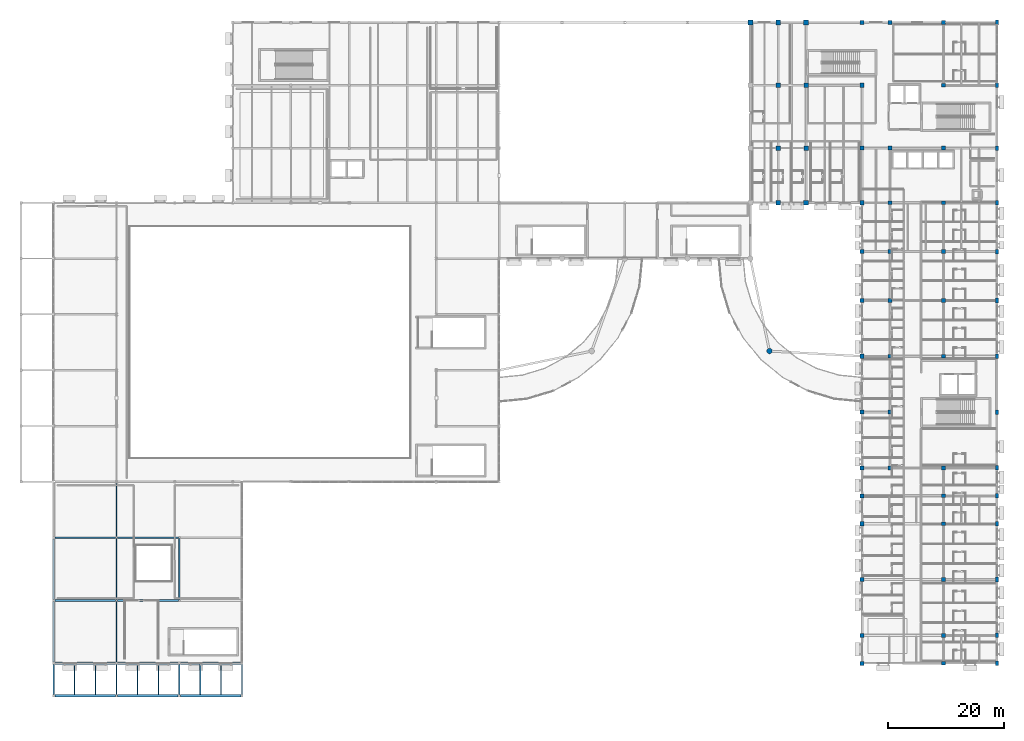
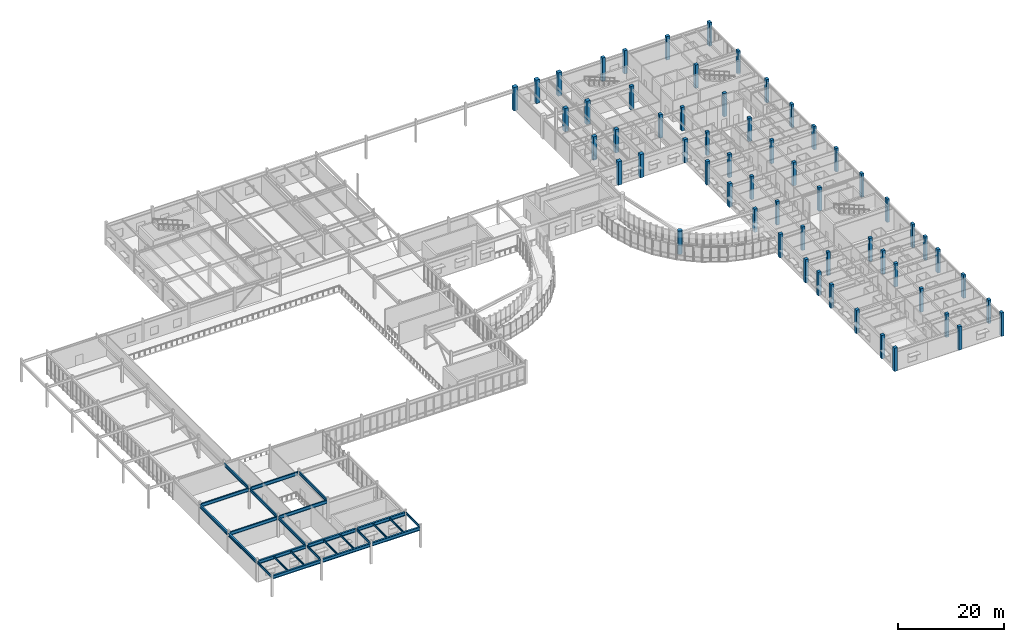
# One storey, part 9 of 68: 59 columns, 26 beams.
"""IFC4 building model written with IfcOpenShell, lengths in metres."""

from ifc_helpers import new_model, si_unit, direction, frame, origin, origin_2d, place, context, subcontext, project, spatial, rectangle, circle, i_section, extrude, material, material_profile, profile_set, type_object, element, save


model = new_model("IFC4")

# Units and contexts
model_context = context("Model", 3, precision=1e-05, world=origin(), true_north=direction((0.0, 1.0)))
body_context = subcontext(model_context, "Body", "Model", "MODEL_VIEW")
ifc_project = project(units=[si_unit("LENGTHUNIT", "METRE"), si_unit("AREAUNIT", "SQUARE_METRE"), si_unit("VOLUMEUNIT", "CUBIC_METRE"), si_unit("PLANEANGLEUNIT", "RADIAN"), si_unit("MASSUNIT", "GRAM", prefix="KILO")], contexts=[model_context])

# Site, building, storey
site_placement = place(None, origin())
site = spatial("IfcSite", under=ifc_project, at=site_placement, CompositionType="ELEMENT")
building_placement = place(site_placement, origin())
building = spatial("IfcBuilding", under=site, at=building_placement, Name="Veldera Park Congress Hotel", CompositionType="ELEMENT")
storey_placement = place(building_placement, frame((0.0, 0.0, 10.800048828125)))
storey = spatial("IfcBuildingStorey", under=building, at=storey_placement, Name="L02", CompositionType="ELEMENT", Elevation=10.800048828125)

# Columns
ifc_material_1 = material(Name="Concrete f'c 40 MPa (5,800 psi)", Category="concrete")
ifc_material_profile_1 = material_profile(ifc_material_1, rectangle(XDim=0.550048828125, YDim=0.800048828125, at=origin_2d()), Name="RC 550x800")
ifc_profile_set_1 = profile_set([ifc_material_profile_1], Name="Concrete f'c 40 MPa (5,800 psi)")
column_type_1 = type_object("IfcColumnType", Name="COL-PIL75E", PredefinedType="PILASTER", material=ifc_profile_set_1)
for number, where, z_axis, x_axis, name in (
    (1, (84.0, -52.199951171875, 0.0), (0.0, 0.0, 1.0), (1.0, 0.0, 0.0), "L02 Column COL-PIL75E (84.0,-52.2)"),
    (2, (84.0, -47.39990234375, 0.0), (0.0, 0.0, 1.0), (1.0, 0.0, 0.0), "L02 Column COL-PIL75E (84.0,-47.4)"),
    (3, (84.0, -37.800048828125, 0.0), (0.0, 0.0, 1.0), (1.0, 0.0, 0.0), "L02 Column COL-PIL75E (84.0,-37.8)"),
    (4, (84.0, -28.199951171875, 0.0), (0.0, 0.0, 1.0), (1.0, 0.0, 0.0), "L02 Column COL-PIL75E (84.0,-28.2)"),
    (5, (84.0, -23.39990234375, 0.0), (0.0, 0.0, 1.0), (1.0, 0.0, 0.0), "L02 Column COL-PIL75E (84.0,-23.4)"),
    (6, (84.0, -18.60009765625, 0.0), (0.0, 0.0, 1.0), (1.0, 0.0, 0.0), "L02 Column COL-PIL75E (84.0,-18.6)"),
    (7, (84.0, -9.0, 0.0), (0.0, 0.0, 1.0), (1.0, 0.0, 0.0), "L02 Column COL-PIL75E (84.0,-9.0)"),
    (8, (84.0, 0.60009765625, 0.0), (0.0, 0.0, 1.0), (1.0, 0.0, 0.0), "L02 Column COL-PIL75E (84.0,0.6)"),
    (9, (84.0, 10.199951171875, 0.0), (0.0, 0.0, 1.0), (1.0, 0.0, 0.0), "L02 Column COL-PIL75E (84.0,10.2)"),
    (10, (84.0, 18.60009765625, 0.0), (0.0, 0.0, 1.0), (1.0, 0.0, 0.0), "L02 Column COL-PIL75E (84.0,18.6)"),
    (11, (84.0, 27.0, 0.0), (0.0, 0.0, 1.0), (1.0, 0.0, 0.0), "L02 Column COL-PIL75E (84.0,27.0)"),
    (12, (84.0, 36.39990234375, 0.0), (0.0, 0.0, 1.0), (1.0, 0.0, 0.0), "L02 Column COL-PIL75E (84.0,36.4)"),
    (13, (84.0, 47.199951171875, 0.0), (0.0, 0.0, 1.0), (1.0, 0.0, 0.0), "L02 Column COL-PIL75E (84.0,47.2)"),
    (14, (84.0, 58.0, 0.0), (0.0, 0.0, 1.0), (1.0, 0.0, 0.0), "L02 Column COL-PIL75E (84.0,58.0)"),
):
    element("IfcColumn", number, at=place(storey_placement, frame(where, z_axis=z_axis, x_axis=x_axis)), inside=storey, type_object=column_type_1, Name=name, PredefinedType="PILASTER", context=body_context, shape_type="SweptSolid", body=[
        extrude(rectangle(XDim=0.550048828125, YDim=0.800048828125, at=origin_2d()), origin(), (0.0, 0.0, 1.0), 5.39990234375),
    ])
ifc_material_profile_2 = material_profile(ifc_material_1, rectangle(XDim=0.64990234375, YDim=0.64990234375, at=origin_2d()), Name="RC 650x650")
ifc_profile_set_2 = profile_set([ifc_material_profile_2], Name="Concrete f'c 40 MPa (5,800 psi)")
column_type_2 = type_object("IfcColumnType", Name="COL-RC65", PredefinedType="COLUMN", material=ifc_profile_set_2)
for number, where, z_axis, x_axis, name in (
    (15, (74.800048828125, -52.199951171875, 0.0), (0.0, 0.0, 1.0), (1.0, 0.0, 0.0), "L02 Column COL-RC65 (74.8,-52.2)"),
    (16, (74.800048828125, -47.39990234375, 0.0), (0.0, 0.0, 1.0), (1.0, 0.0, 0.0), "L02 Column COL-RC65 (74.8,-47.4)"),
    (17, (74.800048828125, -37.800048828125, 0.0), (0.0, 0.0, 1.0), (1.0, 0.0, 0.0), "L02 Column COL-RC65 (74.8,-37.8)"),
    (18, (74.800048828125, -28.199951171875, 0.0), (0.0, 0.0, 1.0), (1.0, 0.0, 0.0), "L02 Column COL-RC65 (74.8,-28.2)"),
    (19, (74.800048828125, -23.39990234375, 0.0), (0.0, 0.0, 1.0), (1.0, 0.0, 0.0), "L02 Column COL-RC65 (74.8,-23.4)"),
    (20, (74.800048828125, -18.60009765625, 0.0), (0.0, 0.0, 1.0), (1.0, 0.0, 0.0), "L02 Column COL-RC65 (74.8,-18.6)"),
    (21, (74.800048828125, 0.60009765625, 0.0), (0.0, 0.0, 1.0), (1.0, 0.0, 0.0), "L02 Column COL-RC65 (74.8,0.6)"),
    (22, (74.800048828125, 10.199951171875, 0.0), (0.0, 0.0, 1.0), (1.0, 0.0, 0.0), "L02 Column COL-RC65 (74.8,10.2)"),
    (23, (74.800048828125, 18.60009765625, 0.0), (0.0, 0.0, 1.0), (1.0, 0.0, 0.0), "L02 Column COL-RC65 (74.8,18.6)"),
    (24, (74.800048828125, 27.0, 0.0), (0.0, 0.0, 1.0), (1.0, 0.0, 0.0), "L02 Column COL-RC65 (74.8,27.0)"),
    (25, (74.800048828125, 36.39990234375, 0.0), (0.0, 0.0, 1.0), (1.0, 0.0, 0.0), "L02 Column COL-RC65 (74.8,36.4)"),
    (26, (74.800048828125, 47.199951171875, 0.0), (0.0, 0.0, 1.0), (1.0, 0.0, 0.0), "L02 Column COL-RC65 (74.8,47.2)"),
    (27, (65.60009765625, -18.60009765625, 0.0), (0.0, 0.0, 1.0), (1.0, 0.0, 0.0), "L02 Column COL-RC65 (65.6,-18.6)"),
    (28, (65.60009765625, -9.0, 0.0), (0.0, 0.0, 1.0), (1.0, 0.0, 0.0), "L02 Column COL-RC65 (65.6,-9.0)"),
    (29, (65.60009765625, 0.60009765625, 0.0), (0.0, 0.0, 1.0), (1.0, 0.0, 0.0), "L02 Column COL-RC65 (65.6,0.6)"),
    (30, (65.60009765625, 10.199951171875, 0.0), (0.0, 0.0, 1.0), (1.0, 0.0, 0.0), "L02 Column COL-RC65 (65.6,10.2)"),
    (31, (65.60009765625, 18.60009765625, 0.0), (0.0, 0.0, 1.0), (1.0, 0.0, 0.0), "L02 Column COL-RC65 (65.6,18.6)"),
    (32, (65.60009765625, 27.0, 0.0), (0.0, 0.0, 1.0), (1.0, 0.0, 0.0), "L02 Column COL-RC65 (65.6,27.0)"),
    (33, (65.60009765625, 36.39990234375, 0.0), (0.0, 0.0, 1.0), (1.0, 0.0, 0.0), "L02 Column COL-RC65 (65.6,36.4)"),
):
    element("IfcColumn", number, at=place(storey_placement, frame(where, z_axis=z_axis, x_axis=x_axis)), inside=storey, type_object=column_type_2, Name=name, PredefinedType="COLUMN", context=body_context, shape_type="SweptSolid", body=[
        extrude(rectangle(XDim=0.64990234375, YDim=0.64990234375, at=origin_2d()), origin(), (0.0, 0.0, 1.0), 5.39990234375),
    ])
ifc_material_profile_3 = material_profile(ifc_material_1, rectangle(XDim=0.699951171875, YDim=0.699951171875, at=origin_2d()), Name="RC 700x700")
ifc_profile_set_3 = profile_set([ifc_material_profile_3], Name="Concrete f'c 40 MPa (5,800 psi)")
column_type_3 = type_object("IfcColumnType", Name="COL-RC65E", PredefinedType="COLUMN", material=ifc_profile_set_3)
for number, where, z_axis, x_axis, name in (
    (34, (60.800048828125, -52.199951171875, 0.0), (0.0, 0.0, 1.0), (1.0, 0.0, 0.0), "L02 Column COL-RC65E (60.8,-52.2)"),
    (35, (60.800048828125, -47.39990234375, 0.0), (0.0, 0.0, 1.0), (1.0, 0.0, 0.0), "L02 Column COL-RC65E (60.8,-47.4)"),
    (36, (60.800048828125, -37.800048828125, 0.0), (0.0, 0.0, 1.0), (1.0, 0.0, 0.0), "L02 Column COL-RC65E (60.8,-37.8)"),
    (37, (60.800048828125, -28.199951171875, 0.0), (0.0, 0.0, 1.0), (1.0, 0.0, 0.0), "L02 Column COL-RC65E (60.8,-28.2)"),
    (38, (60.800048828125, -23.39990234375, 0.0), (0.0, 0.0, 1.0), (1.0, 0.0, 0.0), "L02 Column COL-RC65E (60.8,-23.4)"),
    (39, (60.800048828125, -18.60009765625, 0.0), (0.0, 0.0, 1.0), (1.0, 0.0, 0.0), "L02 Column COL-RC65E (60.8,-18.6)"),
    (40, (60.800048828125, -9.0, 0.0), (0.0, 0.0, 1.0), (1.0, 0.0, 0.0), "L02 Column COL-RC65E (60.8,-9.0)"),
    (41, (60.800048828125, 0.60009765625, 0.0), (0.0, 0.0, 1.0), (1.0, 0.0, 0.0), "L02 Column COL-RC65E (60.8,0.6)"),
    (42, (60.800048828125, 10.199951171875, 0.0), (0.0, 0.0, 1.0), (1.0, 0.0, 0.0), "L02 Column COL-RC65E (60.8,10.2)"),
    (43, (60.800048828125, 18.60009765625, 0.0), (0.0, 0.0, 1.0), (1.0, 0.0, 0.0), "L02 Column COL-RC65E (60.8,18.6)"),
    (44, (60.800048828125, 27.0, 0.0), (0.0, 0.0, 1.0), (1.0, 0.0, 0.0), "L02 Column COL-RC65E (60.8,27.0)"),
    (45, (60.800048828125, 36.39990234375, 0.0), (0.0, 0.0, 1.0), (1.0, 0.0, 0.0), "L02 Column COL-RC65E (60.8,36.4)"),
    (46, (60.800048828125, 47.199951171875, 0.0), (0.0, 0.0, 1.0), (1.0, 0.0, 0.0), "L02 Column COL-RC65E (60.8,47.2)"),
    (47, (60.800048828125, 58.0, 0.0), (0.0, 0.0, 1.0), (1.0, 0.0, 0.0), "L02 Column COL-RC65E (60.8,58.0)"),
    (48, (74.800048828125, 58.0, 0.0), (0.0, 0.0, 1.0), (1.0, 0.0, 0.0), "L02 Column COL-RC65E (74.8,58.0)"),
    (49, (65.60009765625, 58.0, 0.0), (0.0, 0.0, 1.0), (1.0, 0.0, 0.0), "L02 Column COL-RC65E (65.6,58.0)"),
):
    element("IfcColumn", number, at=place(storey_placement, frame(where, z_axis=z_axis, x_axis=x_axis)), inside=storey, type_object=column_type_3, Name=name, PredefinedType="COLUMN", context=body_context, shape_type="SweptSolid", body=[
        extrude(rectangle(XDim=0.699951171875, YDim=0.699951171875, at=origin_2d()), origin(), (0.0, 0.0, 1.0), 5.39990234375),
    ])
ifc_material_2 = material(Name="Concrete f'c 50 MPa (7,250 psi)", Category="concrete")
ifc_material_profile_4 = material_profile(ifc_material_2, rectangle(XDim=0.800048828125, YDim=0.800048828125, at=origin_2d()), Name="RC 800x800")
ifc_profile_set_4 = profile_set([ifc_material_profile_4], Name="Concrete f'c 50 MPa (7,250 psi)")
column_type_4 = type_object("IfcColumnType", Name="COL-RC80", PredefinedType="COLUMN", material=ifc_profile_set_4)
for number, where, z_axis, x_axis, name in (
    (50, (46.39990234375, 36.39990234375, 0.0), (0.0, 0.0, 1.0), (1.0, 0.0, 0.0), "L02 Column COL-RC80 (46.4,36.4)"),
    (51, (46.39990234375, 47.199951171875, 0.0), (0.0, 0.0, 1.0), (1.0, 0.0, 0.0), "L02 Column COL-RC80 (46.4,47.2)"),
    (52, (51.199951171875, 36.39990234375, 0.0), (0.0, 0.0, 1.0), (1.0, 0.0, 0.0), "L02 Column COL-RC80 (51.2,36.4)"),
    (53, (51.199951171875, 47.199951171875, 0.0), (0.0, 0.0, 1.0), (1.0, 0.0, 0.0), "L02 Column COL-RC80 (51.2,47.2)"),
):
    element("IfcColumn", number, at=place(storey_placement, frame(where, z_axis=z_axis, x_axis=x_axis)), inside=storey, type_object=column_type_4, Name=name, PredefinedType="COLUMN", context=body_context, shape_type="SweptSolid", body=[
        extrude(rectangle(XDim=0.800048828125, YDim=0.800048828125, at=origin_2d()), origin(), (0.0, 0.0, 1.0), 5.39990234375),
    ])
ifc_material_profile_5 = material_profile(ifc_material_2, rectangle(XDim=0.85009765625, YDim=0.85009765625, at=origin_2d()), Name="RC 850x850")
ifc_profile_set_5 = profile_set([ifc_material_profile_5], Name="Concrete f'c 50 MPa (7,250 psi)")
column_type_5 = type_object("IfcColumnType", Name="COL-RC80E", PredefinedType="COLUMN", material=ifc_profile_set_5)
for number, where, z_axis, x_axis, name in (
    (54, (41.60009765625, 58.0, 0.0), (0.0, 0.0, 1.0), (1.0, 0.0, 0.0), "L02 Column COL-RC80E (41.6,58.0)"),
    (55, (46.39990234375, 27.0, 0.0), (0.0, 0.0, 1.0), (1.0, 0.0, 0.0), "L02 Column COL-RC80E (46.4,27.0)"),
    (56, (46.39990234375, 58.0, 0.0), (0.0, 0.0, 1.0), (1.0, 0.0, 0.0), "L02 Column COL-RC80E (46.4,58.0)"),
    (57, (51.199951171875, 27.0, 0.0), (0.0, 0.0, 1.0), (1.0, 0.0, 0.0), "L02 Column COL-RC80E (51.2,27.0)"),
    (58, (51.199951171875, 58.0, 0.0), (0.0, 0.0, 1.0), (1.0, 0.0, 0.0), "L02 Column COL-RC80E (51.2,58.0)"),
):
    element("IfcColumn", number, at=place(storey_placement, frame(where, z_axis=z_axis, x_axis=x_axis)), inside=storey, type_object=column_type_5, Name=name, PredefinedType="COLUMN", context=body_context, shape_type="SweptSolid", body=[
        extrude(rectangle(XDim=0.85009765625, YDim=0.85009765625, at=origin_2d()), origin(), (0.0, 0.0, 1.0), 5.39990234375),
    ])
ifc_material_profile_6 = material_profile(ifc_material_2, circle(Radius=0.47509765625, at=origin_2d()), Name="RC D950")
ifc_profile_set_6 = profile_set([ifc_material_profile_6], Name="Concrete f'c 50 MPa (7,250 psi)")
column_type_6 = type_object("IfcColumnType", Name="COL-RCD90E", PredefinedType="COLUMN", material=ifc_profile_set_6)
column_placement = place(storey_placement, frame((44.89013671875, 1.489990234375, 0.0), z_axis=(0.0, 0.0, 1.0), x_axis=(1.0, 0.0, 0.0)))
element("IfcColumn", 59, at=column_placement, inside=storey, type_object=column_type_6, Name="L02 Column COL-RCD90E (44.9,1.5)", PredefinedType="COLUMN", context=body_context, shape_type="SweptSolid", body=[
    extrude(circle(Radius=0.47509765625, at=origin_2d()), origin(), (0.0, 0.0, 1.0), 5.39990234375),
])

# Beams
ifc_material_3 = material(Name="Steel ASTM A992 Gr.50", Category="steel")
ifc_material_profile_7 = material_profile(ifc_material_3, i_section(OverallWidth=0.2119140625, OverallDepth=0.5439453125, WebThickness=0.01318359375, FlangeThickness=0.021240234375, at=origin_2d()), Name="W21X83")
ifc_profile_set_7 = profile_set([ifc_material_profile_7], Name="Steel ASTM A992 Gr.50")
beam_type_1 = type_object("IfcBeamType", Name="BM-W21C", PredefinedType="BEAM", material=ifc_profile_set_7)
for number, where, z_axis, x_axis, name in (
    (60, (-67.39990234375, -57.60498046875, 4.52783203125), (0.0, 1.0, 0.0), (-1.0, 0.0, 0.0), "L02 Girder BM-W21C 939"),
    (61, (-56.60009765625, -57.60498046875, 4.52783203125), (0.0, 1.0, 0.0), (-1.0, 0.0, 0.0), "L02 Girder BM-W21C 948"),
    (62, (-45.800048828125, -57.60498046875, 4.52783203125), (0.0, 1.0, 0.0), (-1.0, 0.0, 0.0), "L02 Girder BM-W21C 953"),
):
    element("IfcBeam", number, at=place(storey_placement, frame(where, z_axis=z_axis, x_axis=x_axis)), inside=storey, type_object=beam_type_1, Name=name, PredefinedType="BEAM", context=body_context, shape_type="SweptSolid", body=[
        extrude(i_section(OverallWidth=0.2119140625, OverallDepth=0.5439453125, WebThickness=0.01318359375, FlangeThickness=0.021240234375, at=origin_2d()), origin(), (0.0, 0.0, 1.0), 5.2099609375),
    ])
ifc_material_profile_8 = material_profile(ifc_material_3, i_section(OverallWidth=0.2119140625, OverallDepth=0.5439453125, WebThickness=0.01318359375, FlangeThickness=0.021240234375, at=origin_2d()), Name="W21X83")
ifc_profile_set_8 = profile_set([ifc_material_profile_8], Name="Steel ASTM A992 Gr.50")
beam_type_2 = type_object("IfcBeamType", Name="BM-W21CE", PredefinedType="BEAM", material=ifc_profile_set_8)
beam_1_placement = place(storey_placement, frame((-78.199951171875, -57.60498046875, 4.52783203125), z_axis=(0.0, 1.0, 0.0), x_axis=(-1.0, 0.0, 0.0)))
element("IfcBeam", 63, at=beam_1_placement, inside=storey, type_object=beam_type_2, Name="L02 Girder BM-W21CE 930", PredefinedType="BEAM", context=body_context, shape_type="SweptSolid", body=[
    extrude(i_section(OverallWidth=0.2119140625, OverallDepth=0.5439453125, WebThickness=0.01318359375, FlangeThickness=0.021240234375, at=origin_2d()), origin(), (0.0, 0.0, 1.0), 5.2099609375),
])
ifc_material_profile_9 = material_profile(ifc_material_3, i_section(OverallWidth=0.256103515625, OverallDepth=0.693115234375, WebThickness=0.014404296875, FlangeThickness=0.023681640625, at=origin_2d()), Name="W27X114")
ifc_profile_set_9 = profile_set([ifc_material_profile_9], Name="Steel ASTM A992 Gr.50")
beam_type_3 = type_object("IfcBeamType", Name="BM-W27", PredefinedType="BEAM", material=ifc_profile_set_9)
beam_2_placement = place(storey_placement, frame((-67.39990234375, -52.0048828125, 4.453369140625), z_axis=(0.0, 1.0, 0.0), x_axis=(-1.0, 0.0, 0.0)))
element("IfcBeam", 64, at=beam_2_placement, inside=storey, type_object=beam_type_3, Name="L02 Girder BM-W27 940", PredefinedType="BEAM", context=body_context, shape_type="SweptSolid", body=[
    extrude(i_section(OverallWidth=0.256103515625, OverallDepth=0.693115234375, WebThickness=0.014404296875, FlangeThickness=0.023681640625, at=origin_2d()), origin(), (0.0, 0.0, 1.0), 10.4248046875),
])
beam_3_placement = place(storey_placement, frame((-67.39990234375, -41.219970703125, 4.453369140625), z_axis=(0.0, 1.0, 0.0), x_axis=(-1.0, 0.0, 0.0)))
element("IfcBeam", 65, at=beam_3_placement, inside=storey, type_object=beam_type_3, Name="L02 Girder BM-W27 941", PredefinedType="BEAM", context=body_context, shape_type="SweptSolid", body=[
    extrude(i_section(OverallWidth=0.256103515625, OverallDepth=0.693115234375, WebThickness=0.014404296875, FlangeThickness=0.023681640625, at=origin_2d()), origin(), (0.0, 0.0, 1.0), 10.43994140625),
])
beam_4_placement = place(storey_placement, frame((-67.39990234375, -30.419921875, 4.453369140625), z_axis=(0.0, 1.0, 0.0), x_axis=(-1.0, 0.0, 0.0)))
element("IfcBeam", 66, at=beam_4_placement, inside=storey, type_object=beam_type_3, Name="L02 Girder BM-W27 942", PredefinedType="BEAM", context=body_context, shape_type="SweptSolid", body=[
    extrude(i_section(OverallWidth=0.256103515625, OverallDepth=0.693115234375, WebThickness=0.014404296875, FlangeThickness=0.023681640625, at=origin_2d()), origin(), (0.0, 0.0, 1.0), 9.223388671875),
])
beam_5_placement = place(storey_placement, frame((-56.60009765625, -41.219970703125, 4.453369140625), z_axis=(0.0, 1.0, 0.0), x_axis=(-1.0, 0.0, 0.0)))
element("IfcBeam", 67, at=beam_5_placement, inside=storey, type_object=beam_type_3, Name="L02 Girder BM-W27 949", PredefinedType="BEAM", context=body_context, shape_type="SweptSolid", body=[
    extrude(i_section(OverallWidth=0.256103515625, OverallDepth=0.693115234375, WebThickness=0.014404296875, FlangeThickness=0.023681640625, at=origin_2d()), origin(), (0.0, 0.0, 1.0), 10.43994140625),
])
ifc_material_profile_10 = material_profile(ifc_material_3, i_section(OverallWidth=0.35498046875, OverallDepth=0.696044921875, WebThickness=0.015380859375, FlangeThickness=0.02490234375, at=origin_2d()), Name="W27X146")
ifc_profile_set_10 = profile_set([ifc_material_profile_10], Name="Steel ASTM A992 Gr.50")
beam_type_4 = type_object("IfcBeamType", Name="BM-W27E", PredefinedType="BEAM", material=ifc_profile_set_10)
beam_6_placement = place(storey_placement, frame((-78.199951171875, -52.0048828125, 4.451904296875), z_axis=(0.0, 1.0, 0.0), x_axis=(-1.0, 0.0, 0.0)))
element("IfcBeam", 68, at=beam_6_placement, inside=storey, type_object=beam_type_4, Name="L02 Girder BM-W27E 931", PredefinedType="BEAM", context=body_context, shape_type="SweptSolid", body=[
    extrude(i_section(OverallWidth=0.35498046875, OverallDepth=0.696044921875, WebThickness=0.015380859375, FlangeThickness=0.02490234375, at=origin_2d()), origin(), (0.0, 0.0, 1.0), 10.409912109375),
])
beam_7_placement = place(storey_placement, frame((-78.199951171875, -41.205078125, 4.451904296875), z_axis=(0.0, 1.0, 0.0), x_axis=(-1.0, 0.0, 0.0)))
element("IfcBeam", 69, at=beam_7_placement, inside=storey, type_object=beam_type_4, Name="L02 Girder BM-W27E 932", PredefinedType="BEAM", context=body_context, shape_type="SweptSolid", body=[
    extrude(i_section(OverallWidth=0.35498046875, OverallDepth=0.696044921875, WebThickness=0.015380859375, FlangeThickness=0.02490234375, at=origin_2d()), origin(), (0.0, 0.0, 1.0), 10.41015625),
])
ifc_material_profile_11 = material_profile(ifc_material_3, i_section(OverallWidth=0.26708984375, OverallDepth=0.779052734375, WebThickness=0.0166015625, FlangeThickness=0.030029296875, at=origin_2d()), Name="W30X148")
ifc_profile_set_11 = profile_set([ifc_material_profile_11], Name="Steel ASTM A992 Gr.50")
beam_type_5 = type_object("IfcBeamType", Name="BM-W30", PredefinedType="BEAM", material=ifc_profile_set_11)
beam_8_placement = place(storey_placement, frame((-78.0048828125, -41.39990234375, 4.410400390625), z_axis=(1.0, 0.0, 0.0), x_axis=(0.0, 1.0, 0.0)))
element("IfcBeam", 70, at=beam_8_placement, inside=storey, type_object=beam_type_5, Name="L02 Girder BM-W30 828", PredefinedType="BEAM", context=body_context, shape_type="SweptSolid", body=[
    extrude(i_section(OverallWidth=0.26708984375, OverallDepth=0.779052734375, WebThickness=0.0166015625, FlangeThickness=0.030029296875, at=origin_2d()), origin(), (0.0, 0.0, 1.0), 10.4248046875),
])
beam_9_placement = place(storey_placement, frame((-67.219970703125, -41.39990234375, 4.410400390625), z_axis=(1.0, 0.0, 0.0), x_axis=(0.0, 1.0, 0.0)))
element("IfcBeam", 71, at=beam_9_placement, inside=storey, type_object=beam_type_5, Name="L02 Girder BM-W30 829", PredefinedType="BEAM", context=body_context, shape_type="SweptSolid", body=[
    extrude(i_section(OverallWidth=0.26708984375, OverallDepth=0.779052734375, WebThickness=0.0166015625, FlangeThickness=0.030029296875, at=origin_2d()), origin(), (0.0, 0.0, 1.0), 10.43994140625),
])
beam_10_placement = place(storey_placement, frame((-78.0048828125, -30.60009765625, 4.410400390625), z_axis=(1.0, 0.0, 0.0), x_axis=(0.0, 1.0, 0.0)))
element("IfcBeam", 72, at=beam_10_placement, inside=storey, type_object=beam_type_5, Name="L02 Girder BM-W30 832", PredefinedType="BEAM", context=body_context, shape_type="SweptSolid", body=[
    extrude(i_section(OverallWidth=0.26708984375, OverallDepth=0.779052734375, WebThickness=0.0166015625, FlangeThickness=0.030029296875, at=origin_2d()), origin(), (0.0, 0.0, 1.0), 10.4248046875),
])
beam_11_placement = place(storey_placement, frame((-67.219970703125, -30.60009765625, 4.410400390625), z_axis=(1.0, 0.0, 0.0), x_axis=(0.0, 1.0, 0.0)))
element("IfcBeam", 73, at=beam_11_placement, inside=storey, type_object=beam_type_5, Name="L02 Girder BM-W30 833", PredefinedType="BEAM", context=body_context, shape_type="SweptSolid", body=[
    extrude(i_section(OverallWidth=0.26708984375, OverallDepth=0.779052734375, WebThickness=0.0166015625, FlangeThickness=0.030029296875, at=origin_2d()), origin(), (0.0, 0.0, 1.0), 10.43994140625),
])
ifc_material_profile_12 = material_profile(ifc_material_3, i_section(OverallWidth=0.382080078125, OverallDepth=0.779052734375, WebThickness=0.01806640625, FlangeThickness=0.030029296875, at=origin_2d()), Name="W30X191")
ifc_profile_set_12 = profile_set([ifc_material_profile_12], Name="Steel ASTM A992 Gr.50")
beam_type_6 = type_object("IfcBeamType", Name="BM-W30E", PredefinedType="BEAM", material=ifc_profile_set_12)
beam_12_placement = place(storey_placement, frame((-78.0048828125, -57.800048828125, 4.410400390625), z_axis=(1.0, 0.0, 0.0), x_axis=(0.0, 1.0, 0.0)))
element("IfcBeam", 74, at=beam_12_placement, inside=storey, type_object=beam_type_6, Name="L02 Girder BM-W30E 818", PredefinedType="BEAM", context=body_context, shape_type="SweptSolid", body=[
    extrude(i_section(OverallWidth=0.382080078125, OverallDepth=0.779052734375, WebThickness=0.01806640625, FlangeThickness=0.030029296875, at=origin_2d()), origin(), (0.0, 0.0, 1.0), 10.409912109375),
])
beam_13_placement = place(storey_placement, frame((-67.205078125, -57.800048828125, 4.410400390625), z_axis=(1.0, 0.0, 0.0), x_axis=(0.0, 1.0, 0.0)))
element("IfcBeam", 75, at=beam_13_placement, inside=storey, type_object=beam_type_6, Name="L02 Girder BM-W30E 819", PredefinedType="BEAM", context=body_context, shape_type="SweptSolid", body=[
    extrude(i_section(OverallWidth=0.382080078125, OverallDepth=0.779052734375, WebThickness=0.01806640625, FlangeThickness=0.030029296875, at=origin_2d()), origin(), (0.0, 0.0, 1.0), 10.41015625),
])
for number, where, z_axis, x_axis, name in (
    (76, (-56.405029296875, -57.800048828125, 4.410400390625), (1.0, 0.0, 0.0), (0.0, 1.0, 0.0), "L02 Girder BM-W30E 820"),
    (77, (-78.0048828125, -52.199951171875, 4.410400390625), (1.0, 0.0, 0.0), (0.0, 1.0, 0.0), "L02 Girder BM-W30E 821"),
):
    element("IfcBeam", number, at=place(storey_placement, frame(where, z_axis=z_axis, x_axis=x_axis)), inside=storey, type_object=beam_type_6, Name=name, PredefinedType="BEAM", context=body_context, shape_type="SweptSolid", body=[
        extrude(i_section(OverallWidth=0.382080078125, OverallDepth=0.779052734375, WebThickness=0.01806640625, FlangeThickness=0.030029296875, at=origin_2d()), origin(), (0.0, 0.0, 1.0), 10.409912109375),
    ])
beam_14_placement = place(storey_placement, frame((-67.205078125, -52.199951171875, 4.410400390625), z_axis=(1.0, 0.0, 0.0), x_axis=(0.0, 1.0, 0.0)))
element("IfcBeam", 78, at=beam_14_placement, inside=storey, type_object=beam_type_6, Name="L02 Girder BM-W30E 822", PredefinedType="BEAM", context=body_context, shape_type="SweptSolid", body=[
    extrude(i_section(OverallWidth=0.382080078125, OverallDepth=0.779052734375, WebThickness=0.01806640625, FlangeThickness=0.030029296875, at=origin_2d()), origin(), (0.0, 0.0, 1.0), 10.41015625),
])
beam_15_placement = place(storey_placement, frame((-56.405029296875, -52.199951171875, 4.410400390625), z_axis=(1.0, 0.0, 0.0), x_axis=(0.0, 1.0, 0.0)))
element("IfcBeam", 79, at=beam_15_placement, inside=storey, type_object=beam_type_6, Name="L02 Girder BM-W30E 823", PredefinedType="BEAM", context=body_context, shape_type="SweptSolid", body=[
    extrude(i_section(OverallWidth=0.382080078125, OverallDepth=0.779052734375, WebThickness=0.01806640625, FlangeThickness=0.030029296875, at=origin_2d()), origin(), (0.0, 0.0, 1.0), 10.409912109375),
])
ifc_material_profile_13 = material_profile(ifc_material_3, i_section(OverallWidth=0.178955078125, OverallDepth=0.409912109375, WebThickness=0.0087890625, FlangeThickness=0.014404296875, at=origin_2d()), Name="W16X45")
ifc_profile_set_13 = profile_set([ifc_material_profile_13], Name="Steel ASTM A992 Gr.50")
beam_type_7 = type_object("IfcBeamType", Name="JST-W16", PredefinedType="JOIST", material=ifc_profile_set_13)
for number, where, z_axis, x_axis, name in (
    (80, (-74.60009765625, -57.60888671875, 4.594970703125), (0.0, 1.0, 0.0), (-1.0, 0.0, 0.0), "L02 Floor Joist JST-W16 1027"),
    (81, (-71.0, -57.60888671875, 4.594970703125), (0.0, 1.0, 0.0), (-1.0, 0.0, 0.0), "L02 Floor Joist JST-W16 1028"),
    (82, (-63.800048828125, -57.60888671875, 4.594970703125), (0.0, 1.0, 0.0), (-1.0, 0.0, 0.0), "L02 Floor Joist JST-W16 1029"),
    (83, (-60.199951171875, -57.60888671875, 4.594970703125), (0.0, 1.0, 0.0), (-1.0, 0.0, 0.0), "L02 Floor Joist JST-W16 1030"),
    (84, (-53.0, -57.60888671875, 4.594970703125), (0.0, 1.0, 0.0), (-1.0, 0.0, 0.0), "L02 Floor Joist JST-W16 1031"),
    (85, (-49.39990234375, -57.60888671875, 4.594970703125), (0.0, 1.0, 0.0), (-1.0, 0.0, 0.0), "L02 Floor Joist JST-W16 1032"),
):
    element("IfcBeam", number, at=place(storey_placement, frame(where, z_axis=z_axis, x_axis=x_axis)), inside=storey, type_object=beam_type_7, Name=name, PredefinedType="JOIST", context=body_context, shape_type="SweptSolid", body=[
        extrude(i_section(OverallWidth=0.178955078125, OverallDepth=0.409912109375, WebThickness=0.0087890625, FlangeThickness=0.014404296875, at=origin_2d()), origin(), (0.0, 0.0, 1.0), 5.2177734375),
    ])

save(model, "model.ifc")
